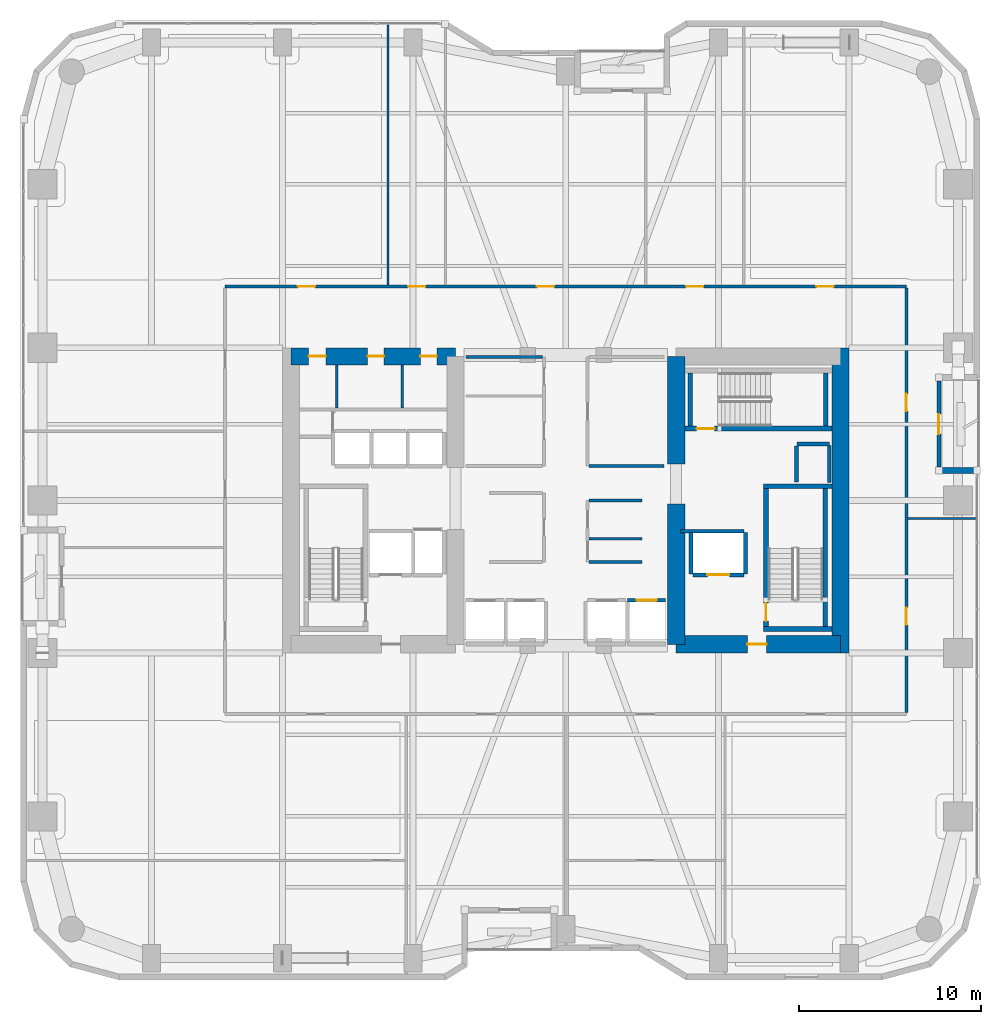
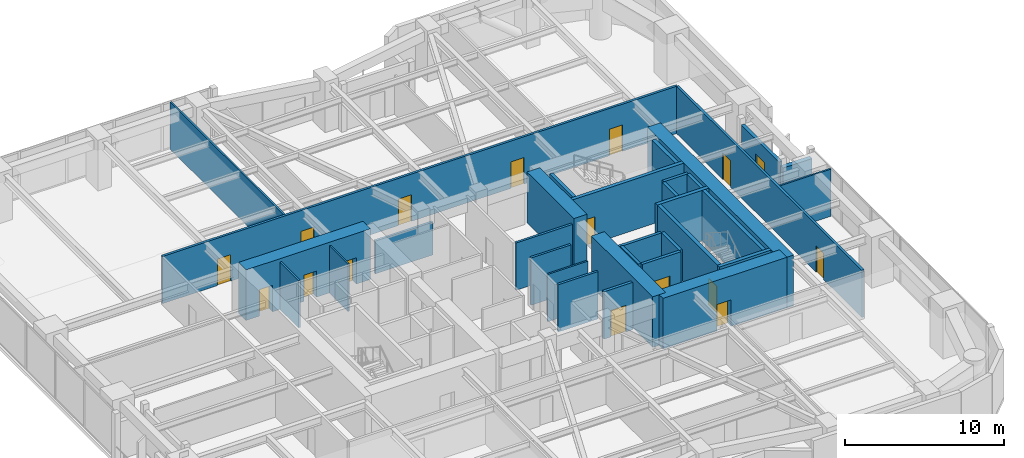
# One storey, part 20 of 24: 33 walls, 16 doors, 16 openings.
"""IFC4 building model written with IfcOpenShell, lengths in metres."""

from ifc_helpers import new_model, si_unit, direction, frame, frame_2d, origin, place, context, subcontext, project, spatial, rectangle, extrude, material, layer, layer_set, type_object, element, fill, save


model = new_model("IFC4")

# Units and contexts
model_context = context("Model", 3, precision=1e-05, world=origin(), true_north=direction((0.0, 1.0)))
body_context = subcontext(model_context, "Body", "Model", "MODEL_VIEW")
ifc_project = project(units=[si_unit("LENGTHUNIT", "METRE"), si_unit("AREAUNIT", "SQUARE_METRE"), si_unit("VOLUMEUNIT", "CUBIC_METRE"), si_unit("PLANEANGLEUNIT", "RADIAN"), si_unit("MASSUNIT", "GRAM", prefix="KILO")], contexts=[model_context])

# Site, building, storey
site_placement = place(None, origin())
site = spatial("IfcSite", under=ifc_project, at=site_placement, CompositionType="ELEMENT")
building_placement = place(site_placement, origin())
building = spatial("IfcBuilding", under=site, at=building_placement, Name="Kiyonajd Concourse Tower", CompositionType="ELEMENT")
storey_placement = place(building_placement, frame((0.0, 0.0, 85.800048828125)))
storey = spatial("IfcBuildingStorey", under=building, at=storey_placement, Name="L22", CompositionType="ELEMENT", Elevation=85.800048828125)

# Wall, openings, doors
ifc_material_1 = material(Name="Concrete C80/95", Category="concrete")
ifc_layer_1 = layer(ifc_material_1, 0.949951171875)
ifc_layer_set_1 = layer_set([ifc_layer_1], Name="Concrete C80/95")
wall_type_1 = type_object("IfcWallType", Name="WL-CORE-950", PredefinedType="SHEAR", material=ifc_layer_set_1)
wall_1_placement = place(storey_placement, frame((32.875, 43.925048828125, 0.0), z_axis=(0.0, 0.0, 1.0), x_axis=(1.0, 0.0, 0.0)))
wall_1 = element("IfcWall", 1, at=wall_1_placement, inside=storey, type_object=wall_type_1, Name="L22 West Core North Shear Wall", PredefinedType="SHEAR", context=body_context, shape_type="SweptSolid", body=[
    extrude(rectangle(XDim=9.050048828125, YDim=0.949951171875, at=frame_2d((4.52490234375, 0.0))), origin(), (0.0, 0.0, 1.0), 3.89990234375),
])
opening_1_placement = place(wall_1_placement, frame((0.97509765625, 0.0, 0.0)))
opening_1 = element("IfcOpeningElement", 2, at=opening_1_placement, cuts=wall_1, Name="Opening DI1", PredefinedType="OPENING", context=body_context, shape_type="SweptSolid", body=[
    extrude(rectangle(XDim=0.949951171875, YDim=2.0400390625, at=frame_2d((0.47509765625, 1.02001953125))), frame((0.0, 0.48486328125, 0.0), z_axis=(0.0, -1.0, 0.0), x_axis=(1.0, 0.0, 0.0)), (0.0, 0.0, 1.0), 0.969970703125),
])
opening_2_placement = place(wall_1_placement, frame((4.22509765625, 0.0, 0.0)))
opening_2 = element("IfcOpeningElement", 3, at=opening_2_placement, cuts=wall_1, Name="Opening DI2", PredefinedType="OPENING", context=body_context, shape_type="SweptSolid", body=[
    extrude(rectangle(XDim=0.89990234375, YDim=2.02001953125, at=frame_2d((0.449951171875, 1.010009765625))), frame((0.0, 0.48486328125, 0.0), z_axis=(0.0, -1.0, 0.0), x_axis=(1.0, 0.0, 0.0)), (0.0, 0.0, 1.0), 0.969970703125),
])
opening_3_placement = place(wall_1_placement, frame((7.125, 0.0, 0.0)))
opening_3 = element("IfcOpeningElement", 4, at=opening_3_placement, cuts=wall_1, Name="Opening DI2", PredefinedType="OPENING", context=body_context, shape_type="SweptSolid", body=[
    extrude(rectangle(XDim=0.89990234375, YDim=2.02001953125, at=frame_2d((0.449951171875, 1.010009765625))), frame((0.0, 0.48486328125, 0.0), z_axis=(0.0, -1.0, 0.0), x_axis=(1.0, 0.0, 0.0)), (0.0, 0.0, 1.0), 0.969970703125),
])
ifc_material_2 = material(Name="Natural Oak Acoustic Timber Veneer", Category="wood")
door_type_1 = type_object("IfcDoorType", Name="DR-INT-900", OperationType="NOTDEFINED", PredefinedType="DOOR", material=ifc_material_2)
door_1_placement = place(opening_2_placement, origin())
door_1 = element("IfcDoor", 5, at=door_1_placement, inside=storey, type_object=door_type_1, Name="L22 Male Restroom Door", OperationType="SINGLE_SWING_RIGHT", OverallHeight=2.02001953125, OverallWidth=0.89990234375, PredefinedType="DOOR", context=body_context, shape_type="SweptSolid", body=[
    extrude(rectangle(XDim=0.89990234375, YDim=2.02001953125, at=frame_2d((0.449951171875, 1.010009765625))), frame((0.0, 0.02490234375, 0.0), z_axis=(0.0, -1.0, 0.0), x_axis=(1.0, 0.0, 0.0)), (0.0, 0.0, 1.0), 0.050048828125),
])
fill(opening_2, door_1)
door_2_placement = place(opening_3_placement, origin())
door_2 = element("IfcDoor", 6, at=door_2_placement, inside=storey, type_object=door_type_1, Name="L22 Female Restroom Door", OperationType="SINGLE_SWING_LEFT", OverallHeight=2.02001953125, OverallWidth=0.89990234375, PredefinedType="DOOR", context=body_context, shape_type="SweptSolid", body=[
    extrude(rectangle(XDim=0.89990234375, YDim=2.02001953125, at=frame_2d((0.449951171875, 1.010009765625))), frame((0.0, 0.02490234375, 0.0), z_axis=(0.0, -1.0, 0.0), x_axis=(1.0, 0.0, 0.0)), (0.0, 0.0, 1.0), 0.050048828125),
])
fill(opening_3, door_2)
door_type_2 = type_object("IfcDoorType", Name="DR-INT-950", OperationType="NOTDEFINED", PredefinedType="DOOR", material=ifc_material_2)
door_3_placement = place(opening_1_placement, origin())
door_3 = element("IfcDoor", 7, at=door_3_placement, inside=storey, type_object=door_type_2, Name="L22 Single User Accessible WC Door", OperationType="SINGLE_SWING_LEFT", OverallHeight=2.0400390625, OverallWidth=0.949951171875, PredefinedType="DOOR", context=body_context, shape_type="SweptSolid", body=[
    extrude(rectangle(XDim=0.949951171875, YDim=2.0400390625, at=frame_2d((0.47509765625, 1.02001953125))), frame((0.0, 0.02490234375, 0.0), z_axis=(0.0, -1.0, 0.0), x_axis=(1.0, 0.0, 0.0)), (0.0, 0.0, 1.0), 0.050048828125),
])
fill(opening_1, door_3)

# Walls
wall_2_placement = place(storey_placement, frame((54.074951171875, 28.074951171875, 0.0), z_axis=(0.0, 0.0, 1.0), x_axis=(0.0, 1.0, 0.0)))
element("IfcWall", 8, at=wall_2_placement, inside=storey, type_object=wall_type_1, Name="L22 East Core Inner South Shear Wall", PredefinedType="SHEAR", context=body_context, shape_type="SweptSolid", body=[
    extrude(rectangle(XDim=7.72509765625, YDim=0.949951171875, at=frame_2d((3.862548828125, 0.0))), origin(), (0.0, 0.0, 1.0), 3.89990234375),
])
wall_3_placement = place(storey_placement, frame((54.074951171875, 38.0, 0.0), z_axis=(0.0, 0.0, 1.0), x_axis=(0.0, 1.0, 0.0)))
element("IfcWall", 9, at=wall_3_placement, inside=storey, type_object=wall_type_1, Name="L22 East Core Inner North Shear Wall", PredefinedType="SHEAR", context=body_context, shape_type="SweptSolid", body=[
    extrude(rectangle(XDim=5.925048828125, YDim=0.949951171875, at=frame_2d((2.96240234375, 0.0))), origin(), (0.0, 0.0, 1.0), 3.89990234375),
])
wall_4_placement = place(storey_placement, frame((63.125, 27.60009765625, 0.0), z_axis=(0.0, 0.0, 1.0), x_axis=(0.0, 1.0, 0.0)))
element("IfcWall", 10, at=wall_4_placement, inside=storey, type_object=wall_type_1, Name="L22 East Core Outer Shear Wall", PredefinedType="SHEAR", context=body_context, shape_type="SweptSolid", body=[
    extrude(rectangle(XDim=16.7998046875, YDim=0.949951171875, at=frame_2d((8.39990234375, 0.0))), origin(), (0.0, 0.0, 1.0), 3.89990234375),
])

# Wall, opening, door
wall_5_placement = place(storey_placement, frame((54.074951171875, 28.074951171875, 0.0), z_axis=(0.0, 0.0, 1.0), x_axis=(1.0, 0.0, 0.0)))
wall_5 = element("IfcWall", 11, at=wall_5_placement, inside=storey, type_object=wall_type_1, Name="L22 East Core South Shear Wall", PredefinedType="SHEAR", context=body_context, shape_type="SweptSolid", body=[
    extrude(rectangle(XDim=9.050048828125, YDim=0.949951171875, at=frame_2d((4.52490234375, 0.0))), origin(), (0.0, 0.0, 1.0), 3.89990234375),
])
opening_4_placement = place(wall_5_placement, frame((3.925048828125, 0.0, 0.0)))
opening_4 = element("IfcOpeningElement", 12, at=opening_4_placement, cuts=wall_5, Name="Opening DF5", PredefinedType="OPENING", context=body_context, shape_type="SweptSolid", body=[
    extrude(rectangle(XDim=1.050048828125, YDim=2.0400390625, at=frame_2d((0.52490234375, 1.02001953125))), frame((0.0, 0.48486328125, 0.0), z_axis=(0.0, -1.0, 0.0), x_axis=(1.0, 0.0, 0.0)), (0.0, 0.0, 1.0), 0.969970703125),
])
ifc_material_3 = material(Name="Brushed Stainless Steel Cab Assembly", Category="steel")
door_type_3 = type_object("IfcDoorType", Name="DR-FD45-1050", OperationType="NOTDEFINED", PredefinedType="DOOR", material=ifc_material_3)
door_4_placement = place(opening_4_placement, origin())
door_4 = element("IfcDoor", 13, at=door_4_placement, inside=storey, type_object=door_type_3, Name="L22 Firefighting Lift Lobby E Smoke Door", OperationType="SINGLE_SWING_RIGHT", OverallHeight=2.0400390625, OverallWidth=1.050048828125, PredefinedType="DOOR", context=body_context, shape_type="SweptSolid", body=[
    extrude(rectangle(XDim=1.050048828125, YDim=2.0400390625, at=frame_2d((0.52490234375, 1.02001953125))), frame((0.0, 0.02490234375, 0.0), z_axis=(0.0, -1.0, 0.0), x_axis=(1.0, 0.0, 0.0)), (0.0, 0.0, 1.0), 0.050048828125),
])
fill(opening_4, door_4)

# Wall
ifc_material_4 = material(Name="Precast concrete C50/60", Category="concrete")
ifc_layer_2 = layer(ifc_material_4, 0.320068359375)
ifc_layer_set_2 = layer_set([ifc_layer_2], Name="Precast concrete C50/60")
wall_type_2 = type_object("IfcWallType", Name="WL-EXT-320", PredefinedType="SOLIDWALL", material=ifc_layer_set_2)
wall_6_placement = place(storey_placement, frame((68.5400390625, 37.639892578125, 0.0), z_axis=(0.0, 0.0, 1.0), x_axis=(1.0, 0.0, 0.0)))
element("IfcWall", 14, at=wall_6_placement, inside=storey, type_object=wall_type_2, Name="L22 Exterior Concrete Frame Wall 23", PredefinedType="SOLIDWALL", context=body_context, shape_type="SweptSolid", body=[
    extrude(rectangle(XDim=2.099853515625, YDim=0.320068359375, at=frame_2d((1.0498046875, 0.0))), origin(), (0.0, 0.0, 1.0), 2.875),
])

# Wall, opening, door
ifc_layer_3 = layer(ifc_material_4, 0.239990234375)
ifc_layer_set_3 = layer_set([ifc_layer_3], Name="Precast concrete C50/60")
wall_type_3 = type_object("IfcWallType", Name="WL-LOG-240", PredefinedType="SOLIDWALL", material=ifc_layer_set_3)
wall_7_placement = place(storey_placement, frame((68.5400390625, 42.56494140625, 0.0), z_axis=(0.0, 0.0, 1.0), x_axis=(0.0, -1.0, 0.0)))
wall_7 = element("IfcWall", 15, at=wall_7_placement, inside=storey, type_object=wall_type_3, Name="L22 Recessed Loggia Thermal Wall LOG-E", PredefinedType="SOLIDWALL", context=body_context, shape_type="SweptSolid", body=[
    extrude(rectangle(XDim=4.72998046875, YDim=0.239990234375, at=frame_2d((2.364990234375, 0.0))), origin(), (0.0, 0.0, 1.0), 3.161865234375),
])
opening_5_placement = place(wall_7_placement, frame((1.81494140625, 0.0, 0.0)))
opening_5 = element("IfcOpeningElement", 16, at=opening_5_placement, cuts=wall_7, Name="Opening DL2", PredefinedType="OPENING", context=body_context, shape_type="SweptSolid", body=[
    extrude(rectangle(XDim=1.10009765625, YDim=2.0400390625, at=frame_2d((0.550048828125, 1.02001953125))), frame((0.0, 0.1298828125, 0.0), z_axis=(0.0, -1.0, 0.0), x_axis=(1.0, 0.0, 0.0)), (0.0, 0.0, 1.0), 0.260009765625),
])
ifc_material_5 = material(Name="Thermally Broken Anodised Aluminium", Category="aluminium")
door_type_4 = type_object("IfcDoorType", Name="DR-LOG-1100", OperationType="NOTDEFINED", PredefinedType="DOOR", material=ifc_material_5)
door_5_placement = place(opening_5_placement, origin())
door_5 = element("IfcDoor", 17, at=door_5_placement, inside=storey, type_object=door_type_4, Name="L22 Engawa Loggia Access Door LOG-E", OperationType="SINGLE_SWING_LEFT", OverallHeight=2.0400390625, OverallWidth=1.10009765625, PredefinedType="DOOR", context=body_context, shape_type="SweptSolid", body=[
    extrude(rectangle(XDim=1.10009765625, YDim=2.0400390625, at=frame_2d((0.550048828125, 1.02001953125))), frame((0.0, 0.02490234375, 0.0), z_axis=(0.0, -1.0, 0.0), x_axis=(1.0, 0.0, 0.0)), (0.0, 0.0, 1.0), 0.050048828125),
])
fill(opening_5, door_5)

# Walls
ifc_material_6 = material(Name="Gypsum Board on Cold-Formed Steel Stud", Category="steel")
ifc_layer_4 = layer(ifc_material_6, 0.125)
ifc_layer_set_4 = layer_set([ifc_layer_4], Name="Gypsum Board on Cold-Formed Steel Stud")
wall_type_4 = type_object("IfcWallType", Name="WL-PART-125", PredefinedType="PARTITIONING", material=ifc_layer_set_4)
for number, where, z_axis, x_axis, name in (
    (18, (35.39990234375, 41.094970703125, 0.0), (0.0, 0.0, 1.0), (0.0, 1.0, 0.0), "L22 Interior Partition Wall"),
    (19, (39.0, 41.094970703125, 0.0), (0.0, 0.0, 1.0), (0.0, 1.0, 0.0), "L22 Interior Partition Wall"),
):
    element("IfcWall", number, at=place(storey_placement, frame(where, z_axis=z_axis, x_axis=x_axis)), inside=storey, type_object=wall_type_4, Name=name, PredefinedType="PARTITIONING", context=body_context, shape_type="SweptSolid", body=[
        extrude(rectangle(XDim=2.35498046875, YDim=0.125, at=frame_2d((1.177490234375, 0.0))), origin(), (0.0, 0.0, 1.0), 3.639892578125),
    ])
wall_8_placement = place(storey_placement, frame((49.287109375, 33.89208984375, 0.0), z_axis=(0.0, 0.0, 1.0), x_axis=(1.0, 0.0, 0.0)))
element("IfcWall", 20, at=wall_8_placement, inside=storey, type_object=wall_type_4, Name="L22 Interior Partition Wall", PredefinedType="PARTITIONING", context=body_context, shape_type="SweptSolid", body=[
    extrude(rectangle(XDim=2.912841796875, YDim=0.125, at=frame_2d((1.45654296875, 0.0))), origin(), (0.0, 0.0, 1.0), 3.639892578125),
])
wall_9_placement = place(storey_placement, frame((38.2099609375, 47.85693359375, 0.0), z_axis=(0.0, 0.0, 1.0), x_axis=(0.0, 1.0, 0.0)))
element("IfcWall", 21, at=wall_9_placement, inside=storey, type_object=wall_type_4, Name="L22 Interior Partition Wall", PredefinedType="PARTITIONING", context=body_context, shape_type="SweptSolid", body=[
    extrude(rectangle(XDim=14.298095703125, YDim=0.125, at=frame_2d((7.14892578125, 0.0))), origin(), (0.0, 0.0, 1.0), 3.639892578125),
])
wall_10_placement = place(storey_placement, frame((66.8369140625, 35.0, 0.0), z_axis=(0.0, 0.0, 1.0), x_axis=(1.0, 0.0, 0.0)))
element("IfcWall", 22, at=wall_10_placement, inside=storey, type_object=wall_type_4, Name="L22 Interior Partition Wall", PredefinedType="PARTITIONING", context=body_context, shape_type="SweptSolid", body=[
    extrude(rectangle(XDim=3.718017578125, YDim=0.125, at=frame_2d((1.85888671875, 0.0))), origin(), (0.0, 0.0, 1.0), 3.639892578125),
])
ifc_layer_5 = layer(ifc_material_6, 0.2099609375)
ifc_layer_set_5 = layer_set([ifc_layer_5], Name="Gypsum Board on Cold-Formed Steel Stud")
wall_type_5 = type_object("IfcWallType", Name="WL-SHAFT-210", PredefinedType="PARTITIONING", material=ifc_layer_set_5)
wall_11_placement = place(storey_placement, frame((60.719970703125, 39.10009765625, 0.0), z_axis=(0.0, 0.0, 1.0), x_axis=(1.0, 0.0, 0.0)))
element("IfcWall", 23, at=wall_11_placement, inside=storey, type_object=wall_type_5, Name="L22 Shaft Enclosure Wall", PredefinedType="PARTITIONING", context=body_context, shape_type="SweptSolid", body=[
    extrude(rectangle(XDim=1.800048828125, YDim=0.2099609375, at=frame_2d((0.89990234375, 0.0))), origin(), (0.0, 0.0, 1.0), 3.639892578125),
])
wall_12_placement = place(storey_placement, frame((60.699951171875, 37.02001953125, 0.0), z_axis=(0.0, 0.0, 1.0), x_axis=(0.0, 1.0, 0.0)))
element("IfcWall", 24, at=wall_12_placement, inside=storey, type_object=wall_type_5, Name="L22 Shaft Enclosure Wall", PredefinedType="PARTITIONING", context=body_context, shape_type="SweptSolid", body=[
    extrude(rectangle(XDim=1.9599609375, YDim=0.2099609375, at=frame_2d((0.97998046875, 0.0))), origin(), (0.0, 0.0, 1.0), 3.639892578125),
])
wall_13_placement = place(storey_placement, frame((62.5, 36.97998046875, 0.0), z_axis=(0.0, 0.0, 1.0), x_axis=(0.0, 1.0, 0.0)))
element("IfcWall", 25, at=wall_13_placement, inside=storey, type_object=wall_type_5, Name="L22 Shaft Enclosure Wall", PredefinedType="PARTITIONING", context=body_context, shape_type="SweptSolid", body=[
    extrude(rectangle(XDim=2.0400390625, YDim=0.2099609375, at=frame_2d((1.02001953125, 0.0))), origin(), (0.0, 0.0, 1.0), 3.639892578125),
])

# Wall, opening, door
wall_14_placement = place(storey_placement, frame((55.0, 31.89990234375, 0.0), z_axis=(0.0, 0.0, 1.0), x_axis=(1.0, 0.0, 0.0)))
wall_14 = element("IfcWall", 26, at=wall_14_placement, inside=storey, type_object=wall_type_5, Name="L22 Shaft Enclosure Wall", PredefinedType="PARTITIONING", context=body_context, shape_type="SweptSolid", body=[
    extrude(rectangle(XDim=2.800048828125, YDim=0.2099609375, at=frame_2d((1.39990234375, 0.0))), origin(), (0.0, 0.0, 1.0), 3.639892578125),
])
opening_6_placement = place(wall_14_placement, frame((0.800048828125, 0.0, 0.0)))
opening_6 = element("IfcOpeningElement", 27, at=opening_6_placement, cuts=wall_14, Name="Opening LD2", PredefinedType="OPENING", context=body_context, shape_type="SweptSolid", body=[
    extrude(rectangle(XDim=1.199951171875, YDim=2.0400390625, at=frame_2d((0.60009765625, 1.02001953125))), frame((0.0, 0.114990234375, 0.0), z_axis=(0.0, -1.0, 0.0), x_axis=(1.0, 0.0, 0.0)), (0.0, 0.0, 1.0), 0.22998046875),
])
door_type_5 = type_object("IfcDoorType", Name="DR-LD-1200", OperationType="DOUBLE_DOOR_SLIDING", PredefinedType="DOOR", material=ifc_material_3)
door_6_placement = place(opening_6_placement, origin())
door_6 = element("IfcDoor", 28, at=door_6_placement, inside=storey, type_object=door_type_5, Name="L22 Lift FFL2 Sliding Landing Door", OperationType="DOUBLE_DOOR_SLIDING", OverallHeight=2.0400390625, OverallWidth=1.199951171875, PredefinedType="DOOR", context=body_context, shape_type="SweptSolid", body=[
    extrude(rectangle(XDim=1.199951171875, YDim=2.0400390625, at=frame_2d((0.60009765625, 1.02001953125))), frame((0.0, 0.02490234375, 0.0), z_axis=(0.0, -1.0, 0.0), x_axis=(1.0, 0.0, 0.0)), (0.0, 0.0, 1.0), 0.050048828125),
])
fill(opening_6, door_6)

# Walls
wall_15_placement = place(storey_placement, frame((54.320068359375, 34.300048828125, 0.0), z_axis=(0.0, 0.0, 1.0), x_axis=(1.0, 0.0, 0.0)))
element("IfcWall", 29, at=wall_15_placement, inside=storey, type_object=wall_type_5, Name="L22 Shaft Enclosure Wall", PredefinedType="PARTITIONING", context=body_context, shape_type="SweptSolid", body=[
    extrude(rectangle(XDim=3.47998046875, YDim=0.2099609375, at=frame_2d((1.739990234375, 0.0))), origin(), (0.0, 0.0, 1.0), 3.639892578125),
])
for number, where, z_axis, x_axis, name in (
    (30, (54.89990234375, 31.9599609375, 0.0), (0.0, 0.0, 1.0), (0.0, 1.0, 0.0), "L22 Shaft Enclosure Wall"),
    (31, (57.89990234375, 31.9599609375, 0.0), (0.0, 0.0, 1.0), (0.0, 1.0, 0.0), "L22 Shaft Enclosure Wall"),
):
    element("IfcWall", number, at=place(storey_placement, frame(where, z_axis=z_axis, x_axis=x_axis)), inside=storey, type_object=wall_type_5, Name=name, PredefinedType="PARTITIONING", context=body_context, shape_type="SweptSolid", body=[
        extrude(rectangle(XDim=2.280029296875, YDim=0.2099609375, at=frame_2d((1.14013671875, 0.0))), origin(), (0.0, 0.0, 1.0), 3.639892578125),
    ])

# Wall, opening, door
wall_16_placement = place(storey_placement, frame((51.39990234375, 30.5, 0.0), z_axis=(0.0, 0.0, 1.0), x_axis=(1.0, 0.0, 0.0)))
wall_16 = element("IfcWall", 32, at=wall_16_placement, inside=storey, type_object=wall_type_5, Name="L22 Shaft Enclosure Wall", PredefinedType="PARTITIONING", context=body_context, shape_type="SweptSolid", body=[
    extrude(rectangle(XDim=2.10009765625, YDim=0.2099609375, at=frame_2d((1.050048828125, 0.0))), origin(), (0.0, 0.0, 1.0), 3.639892578125),
])
opening_7_placement = place(wall_16_placement, frame((0.5, 0.0, 0.0)))
opening_7 = element("IfcOpeningElement", 33, at=opening_7_placement, cuts=wall_16, Name="Opening LD1", PredefinedType="OPENING", context=body_context, shape_type="SweptSolid", body=[
    extrude(rectangle(XDim=1.10009765625, YDim=2.0400390625, at=frame_2d((0.550048828125, 1.02001953125))), frame((0.0, 0.114990234375, 0.0), z_axis=(0.0, -1.0, 0.0), x_axis=(1.0, 0.0, 0.0)), (0.0, 0.0, 1.0), 0.22998046875),
])
door_type_6 = type_object("IfcDoorType", Name="DR-LD-1100", OperationType="DOUBLE_DOOR_SLIDING", PredefinedType="DOOR", material=ifc_material_3)
door_7_placement = place(opening_7_placement, origin())
door_7 = element("IfcDoor", 34, at=door_7_placement, inside=storey, type_object=door_type_6, Name="L22 Lift PL-L4 Sliding Landing Door", OperationType="DOUBLE_DOOR_SLIDING", OverallHeight=2.0400390625, OverallWidth=1.10009765625, PredefinedType="DOOR", context=body_context, shape_type="SweptSolid", body=[
    extrude(rectangle(XDim=1.10009765625, YDim=2.0400390625, at=frame_2d((0.550048828125, 1.02001953125))), frame((0.0, 0.02490234375, 0.0), z_axis=(0.0, -1.0, 0.0), x_axis=(1.0, 0.0, 0.0)), (0.0, 0.0, 1.0), 0.050048828125),
])
fill(opening_7, door_7)

# Walls
ifc_layer_6 = layer(ifc_material_6, 0.169921875)
ifc_layer_set_6 = layer_set([ifc_layer_6], Name="Gypsum Board on Cold-Formed Steel Stud")
wall_type_6 = type_object("IfcWallType", Name="WL-SMK-170", PredefinedType="PARTITIONING", material=ifc_layer_set_6)
for number, where, z_axis, x_axis, name in (
    (35, (49.287109375, 32.60009765625, 0.0), (0.0, 0.0, 1.0), (1.0, 0.0, 0.0), "L22 Interior Partition Wall"),
    (36, (49.287109375, 36.0, 0.0), (0.0, 0.0, 1.0), (1.0, 0.0, 0.0), "L22 Interior Partition Wall"),
):
    element("IfcWall", number, at=place(storey_placement, frame(where, z_axis=z_axis, x_axis=x_axis)), inside=storey, type_object=wall_type_6, Name=name, PredefinedType="PARTITIONING", context=body_context, shape_type="SweptSolid", body=[
        extrude(rectangle(XDim=2.912841796875, YDim=0.169921875, at=frame_2d((1.45654296875, 0.0))), origin(), (0.0, 0.0, 1.0), 3.639892578125),
    ])
wall_17_placement = place(storey_placement, frame((42.5, 43.89990234375, 0.0), z_axis=(0.0, 0.0, 1.0), x_axis=(1.0, 0.0, 0.0)))
element("IfcWall", 37, at=wall_17_placement, inside=storey, type_object=wall_type_6, Name="L22 Interior Partition Wall", PredefinedType="PARTITIONING", context=body_context, shape_type="SweptSolid", body=[
    extrude(rectangle(XDim=4.212890625, YDim=0.169921875, at=frame_2d((2.1064453125, 0.0))), origin(), (0.0, 0.0, 1.0), 2.52490234375),
])
wall_18_placement = place(storey_placement, frame((49.287109375, 37.89990234375, 0.0), z_axis=(0.0, 0.0, 1.0), x_axis=(1.0, 0.0, 0.0)))
element("IfcWall", 38, at=wall_18_placement, inside=storey, type_object=wall_type_6, Name="L22 Interior Partition Wall", PredefinedType="PARTITIONING", context=body_context, shape_type="SweptSolid", body=[
    extrude(rectangle(XDim=4.11279296875, YDim=0.169921875, at=frame_2d((2.056396484375, 0.0))), origin(), (0.0, 0.0, 1.0), 3.639892578125),
])

# Wall, openings, doors
wall_19_placement = place(storey_placement, frame((29.25, 47.77001953125, 0.0), z_axis=(0.0, 0.0, 1.0), x_axis=(1.0, 0.0, 0.0)))
wall_19 = element("IfcWall", 39, at=wall_19_placement, inside=storey, type_object=wall_type_6, Name="L22 Interior Partition Wall", PredefinedType="PARTITIONING", context=body_context, shape_type="SweptSolid", body=[
    extrude(rectangle(XDim=37.5, YDim=0.169921875, at=frame_2d((18.75, 0.0))), origin(), (0.0, 0.0, 1.0), 3.639892578125),
])
opening_8_placement = place(wall_19_placement, frame((4.0048828125, 0.0, 0.0)))
opening_8 = element("IfcOpeningElement", 40, at=opening_8_placement, cuts=wall_19, Name="Opening DI1", PredefinedType="OPENING", context=body_context, shape_type="SweptSolid", body=[
    extrude(rectangle(XDim=0.949951171875, YDim=2.0400390625, at=frame_2d((0.47509765625, 1.02001953125))), frame((0.0, 0.094970703125, 0.0), z_axis=(0.0, -1.0, 0.0), x_axis=(1.0, 0.0, 0.0)), (0.0, 0.0, 1.0), 0.18994140625),
])
opening_9_placement = place(wall_19_placement, frame((10.070068359375, 0.0, 0.0)))
opening_9 = element("IfcOpeningElement", 41, at=opening_9_placement, cuts=wall_19, Name="Opening DI1", PredefinedType="OPENING", context=body_context, shape_type="SweptSolid", body=[
    extrude(rectangle(XDim=0.949951171875, YDim=2.0400390625, at=frame_2d((0.47509765625, 1.02001953125))), frame((0.0, 0.094970703125, 0.0), z_axis=(0.0, -1.0, 0.0), x_axis=(1.0, 0.0, 0.0)), (0.0, 0.0, 1.0), 0.18994140625),
])
opening_10_placement = place(wall_19_placement, frame((17.1650390625, 0.0, 0.0)))
opening_10 = element("IfcOpeningElement", 42, at=opening_10_placement, cuts=wall_19, Name="Opening DI1", PredefinedType="OPENING", context=body_context, shape_type="SweptSolid", body=[
    extrude(rectangle(XDim=0.949951171875, YDim=2.0400390625, at=frame_2d((0.47509765625, 1.02001953125))), frame((0.0, 0.094970703125, 0.0), z_axis=(0.0, -1.0, 0.0), x_axis=(1.0, 0.0, 0.0)), (0.0, 0.0, 1.0), 0.18994140625),
])
opening_11_placement = place(wall_19_placement, frame((25.3701171875, 0.0, 0.0)))
opening_11 = element("IfcOpeningElement", 43, at=opening_11_placement, cuts=wall_19, Name="Opening DI1", PredefinedType="OPENING", context=body_context, shape_type="SweptSolid", body=[
    extrude(rectangle(XDim=0.949951171875, YDim=2.0400390625, at=frame_2d((0.47509765625, 1.02001953125))), frame((0.0, 0.094970703125, 0.0), z_axis=(0.0, -1.0, 0.0), x_axis=(1.0, 0.0, 0.0)), (0.0, 0.0, 1.0), 0.18994140625),
])
opening_12_placement = place(wall_19_placement, frame((32.544921875, 0.0, 0.0)))
opening_12 = element("IfcOpeningElement", 44, at=opening_12_placement, cuts=wall_19, Name="Opening DI1", PredefinedType="OPENING", context=body_context, shape_type="SweptSolid", body=[
    extrude(rectangle(XDim=0.949951171875, YDim=2.0400390625, at=frame_2d((0.47509765625, 1.02001953125))), frame((0.0, 0.094970703125, 0.0), z_axis=(0.0, -1.0, 0.0), x_axis=(1.0, 0.0, 0.0)), (0.0, 0.0, 1.0), 0.18994140625),
])
door_8_placement = place(opening_8_placement, origin())
door_8 = element("IfcDoor", 45, at=door_8_placement, inside=storey, type_object=door_type_2, Name="L22 Interior Door", OperationType="SINGLE_SWING_RIGHT", OverallHeight=2.0400390625, OverallWidth=0.949951171875, PredefinedType="DOOR", context=body_context, shape_type="SweptSolid", body=[
    extrude(rectangle(XDim=0.949951171875, YDim=2.0400390625, at=frame_2d((0.47509765625, 1.02001953125))), frame((0.0, 0.02490234375, 0.0), z_axis=(0.0, -1.0, 0.0), x_axis=(1.0, 0.0, 0.0)), (0.0, 0.0, 1.0), 0.050048828125),
])
fill(opening_8, door_8)
door_9_placement = place(opening_9_placement, origin())
door_9 = element("IfcDoor", 46, at=door_9_placement, inside=storey, type_object=door_type_2, Name="L22 Interior Door", OperationType="SINGLE_SWING_LEFT", OverallHeight=2.0400390625, OverallWidth=0.949951171875, PredefinedType="DOOR", context=body_context, shape_type="SweptSolid", body=[
    extrude(rectangle(XDim=0.949951171875, YDim=2.0400390625, at=frame_2d((0.47509765625, 1.02001953125))), frame((0.0, 0.02490234375, 0.0), z_axis=(0.0, -1.0, 0.0), x_axis=(1.0, 0.0, 0.0)), (0.0, 0.0, 1.0), 0.050048828125),
])
fill(opening_9, door_9)
door_10_placement = place(opening_10_placement, origin())
door_10 = element("IfcDoor", 47, at=door_10_placement, inside=storey, type_object=door_type_2, Name="L22 Interior Door", OperationType="SINGLE_SWING_RIGHT", OverallHeight=2.0400390625, OverallWidth=0.949951171875, PredefinedType="DOOR", context=body_context, shape_type="SweptSolid", body=[
    extrude(rectangle(XDim=0.949951171875, YDim=2.0400390625, at=frame_2d((0.47509765625, 1.02001953125))), frame((0.0, 0.02490234375, 0.0), z_axis=(0.0, -1.0, 0.0), x_axis=(1.0, 0.0, 0.0)), (0.0, 0.0, 1.0), 0.050048828125),
])
fill(opening_10, door_10)
door_11_placement = place(opening_11_placement, origin())
door_11 = element("IfcDoor", 48, at=door_11_placement, inside=storey, type_object=door_type_2, Name="L22 Interior Door", OperationType="SINGLE_SWING_LEFT", OverallHeight=2.0400390625, OverallWidth=0.949951171875, PredefinedType="DOOR", context=body_context, shape_type="SweptSolid", body=[
    extrude(rectangle(XDim=0.949951171875, YDim=2.0400390625, at=frame_2d((0.47509765625, 1.02001953125))), frame((0.0, 0.02490234375, 0.0), z_axis=(0.0, -1.0, 0.0), x_axis=(1.0, 0.0, 0.0)), (0.0, 0.0, 1.0), 0.050048828125),
])
fill(opening_11, door_11)
door_12_placement = place(opening_12_placement, origin())
door_12 = element("IfcDoor", 49, at=door_12_placement, inside=storey, type_object=door_type_2, Name="L22 Interior Door", OperationType="SINGLE_SWING_RIGHT", OverallHeight=2.0400390625, OverallWidth=0.949951171875, PredefinedType="DOOR", context=body_context, shape_type="SweptSolid", body=[
    extrude(rectangle(XDim=0.949951171875, YDim=2.0400390625, at=frame_2d((0.47509765625, 1.02001953125))), frame((0.0, 0.02490234375, 0.0), z_axis=(0.0, -1.0, 0.0), x_axis=(1.0, 0.0, 0.0)), (0.0, 0.0, 1.0), 0.050048828125),
])
fill(opening_12, door_12)

wall_20_placement = place(storey_placement, frame((66.75, 24.31689453125, 0.0), z_axis=(0.0, 0.0, 1.0), x_axis=(0.0, 1.0, 0.0)))
wall_20 = element("IfcWall", 50, at=wall_20_placement, inside=storey, type_object=wall_type_6, Name="L22 Interior Partition Wall", PredefinedType="PARTITIONING", context=body_context, shape_type="SweptSolid", body=[
    extrude(rectangle(XDim=23.3662109375, YDim=0.169921875, at=frame_2d((11.68310546875, 0.0))), origin(), (0.0, 0.0, 1.0), 3.639892578125),
])
opening_13_placement = place(wall_20_placement, frame((4.822998046875, 0.0, 0.0)))
opening_13 = element("IfcOpeningElement", 51, at=opening_13_placement, cuts=wall_20, Name="Opening DI1", PredefinedType="OPENING", context=body_context, shape_type="SweptSolid", body=[
    extrude(rectangle(XDim=0.949951171875, YDim=2.0400390625, at=frame_2d((0.47509765625, 1.02001953125))), frame((0.0, 0.094970703125, 0.0), z_axis=(0.0, -1.0, 0.0), x_axis=(1.0, 0.0, 0.0)), (0.0, 0.0, 1.0), 0.18994140625),
])
opening_14_placement = place(wall_20_placement, frame((16.593017578125, 0.0, 0.0)))
opening_14 = element("IfcOpeningElement", 52, at=opening_14_placement, cuts=wall_20, Name="Opening DI1", PredefinedType="OPENING", context=body_context, shape_type="SweptSolid", body=[
    extrude(rectangle(XDim=0.949951171875, YDim=2.0400390625, at=frame_2d((0.47509765625, 1.02001953125))), frame((0.0, 0.094970703125, 0.0), z_axis=(0.0, -1.0, 0.0), x_axis=(1.0, 0.0, 0.0)), (0.0, 0.0, 1.0), 0.18994140625),
])
door_13_placement = place(opening_13_placement, origin())
door_13 = element("IfcDoor", 53, at=door_13_placement, inside=storey, type_object=door_type_2, Name="L22 Interior Door", OperationType="SINGLE_SWING_RIGHT", OverallHeight=2.0400390625, OverallWidth=0.949951171875, PredefinedType="DOOR", context=body_context, shape_type="SweptSolid", body=[
    extrude(rectangle(XDim=0.949951171875, YDim=2.0400390625, at=frame_2d((0.47509765625, 1.02001953125))), frame((0.0, 0.02490234375, 0.0), z_axis=(0.0, -1.0, 0.0), x_axis=(1.0, 0.0, 0.0)), (0.0, 0.0, 1.0), 0.050048828125),
])
fill(opening_13, door_13)
door_14_placement = place(opening_14_placement, origin())
door_14 = element("IfcDoor", 54, at=door_14_placement, inside=storey, type_object=door_type_2, Name="L22 Interior Door", OperationType="SINGLE_SWING_LEFT", OverallHeight=2.0400390625, OverallWidth=0.949951171875, PredefinedType="DOOR", context=body_context, shape_type="SweptSolid", body=[
    extrude(rectangle(XDim=0.949951171875, YDim=2.0400390625, at=frame_2d((0.47509765625, 1.02001953125))), frame((0.0, 0.02490234375, 0.0), z_axis=(0.0, -1.0, 0.0), x_axis=(1.0, 0.0, 0.0)), (0.0, 0.0, 1.0), 0.050048828125),
])
fill(opening_14, door_14)

# Walls
ifc_material_7 = material(Name="Concrete C50/60", Category="concrete")
ifc_layer_7 = layer(ifc_material_7, 0.260009765625)
ifc_layer_set_7 = layer_set([ifc_layer_7], Name="Concrete C50/60")
wall_type_7 = type_object("IfcWallType", Name="WL-STAIR-260", PredefinedType="SHEAR", material=ifc_layer_set_7)
for number, where, z_axis, x_axis, name in (
    (55, (58.889892578125, 28.919921875, 0.0), (0.0, 0.0, 1.0), (1.0, 0.0, 0.0), "L22 Stair ST2 Structural South Wall"),
    (56, (58.889892578125, 36.780029296875, 0.0), (0.0, 0.0, 1.0), (1.0, 0.0, 0.0), "L22 Stair ST2 Structural North Wall"),
):
    element("IfcWall", number, at=place(storey_placement, frame(where, z_axis=z_axis, x_axis=x_axis)), inside=storey, type_object=wall_type_7, Name=name, PredefinedType="SHEAR", context=body_context, shape_type="SweptSolid", body=[
        extrude(rectangle(XDim=3.760009765625, YDim=0.260009765625, at=frame_2d((1.8798828125, 0.0))), origin(), (0.0, 0.0, 1.0), 3.89990234375),
    ])

# Wall, opening, door
wall_21_placement = place(storey_placement, frame((59.02001953125, 29.050048828125, 0.0), z_axis=(0.0, 0.0, 1.0), x_axis=(0.0, 1.0, 0.0)))
wall_21 = element("IfcWall", 57, at=wall_21_placement, inside=storey, type_object=wall_type_7, Name="L22 Stair ST2 Structural West Wall", PredefinedType="SHEAR", context=body_context, shape_type="SweptSolid", body=[
    extrude(rectangle(XDim=7.599853515625, YDim=0.260009765625, at=frame_2d((3.7998046875, 0.0))), origin(), (0.0, 0.0, 1.0), 3.89990234375),
])
opening_15_placement = place(wall_21_placement, frame((0.300048828125, 0.0, 0.0)))
opening_15 = element("IfcOpeningElement", 58, at=opening_15_placement, cuts=wall_21, Name="Opening DF1", PredefinedType="OPENING", context=body_context, shape_type="SweptSolid", body=[
    extrude(rectangle(XDim=1.0, YDim=2.0400390625, at=frame_2d((0.5, 1.02001953125))), frame((0.0, 0.139892578125, 0.0), z_axis=(0.0, -1.0, 0.0), x_axis=(1.0, 0.0, 0.0)), (0.0, 0.0, 1.0), 0.280029296875),
])
door_type_7 = type_object("IfcDoorType", Name="DR-FD90-1000", OperationType="NOTDEFINED", PredefinedType="DOOR", material=ifc_material_3)
door_15_placement = place(opening_15_placement, origin())
door_15 = element("IfcDoor", 59, at=door_15_placement, inside=storey, type_object=door_type_7, Name="L22 Stair ST2 FSAE Door", OperationType="SINGLE_SWING_RIGHT", OverallHeight=2.0400390625, OverallWidth=1.0, PredefinedType="DOOR", context=body_context, shape_type="SweptSolid", body=[
    extrude(rectangle(XDim=1.0, YDim=2.0400390625, at=frame_2d((0.5, 1.02001953125))), frame((0.0, 0.02490234375, 0.0), z_axis=(0.0, -1.0, 0.0), x_axis=(1.0, 0.0, 0.0)), (0.0, 0.0, 1.0), 0.050048828125),
])
fill(opening_15, door_15)

# Wall
wall_22_placement = place(storey_placement, frame((62.280029296875, 29.050048828125, 0.0), z_axis=(0.0, 0.0, 1.0), x_axis=(0.0, 1.0, 0.0)))
element("IfcWall", 60, at=wall_22_placement, inside=storey, type_object=wall_type_7, Name="L22 Stair ST2 Structural East Wall", PredefinedType="SHEAR", context=body_context, shape_type="SweptSolid", body=[
    extrude(rectangle(XDim=7.599853515625, YDim=0.260009765625, at=frame_2d((3.7998046875, 0.0))), origin(), (0.0, 0.0, 1.0), 3.89990234375),
])

# Wall, opening, door
wall_23_placement = place(storey_placement, frame((54.550048828125, 39.949951171875, 0.0), z_axis=(0.0, 0.0, 1.0), x_axis=(1.0, 0.0, 0.0)))
wall_23 = element("IfcWall", 61, at=wall_23_placement, inside=storey, type_object=wall_type_7, Name="L22 Stair ST3 Structural South Wall", PredefinedType="SHEAR", context=body_context, shape_type="SweptSolid", body=[
    extrude(rectangle(XDim=8.099853515625, YDim=0.260009765625, at=frame_2d((4.0498046875, 0.0))), origin(), (0.0, 0.0, 1.0), 3.89990234375),
])
opening_16_placement = place(wall_23_placement, frame((0.64990234375, 0.0, 0.0)))
opening_16 = element("IfcOpeningElement", 62, at=opening_16_placement, cuts=wall_23, Name="Opening DF1", PredefinedType="OPENING", context=body_context, shape_type="SweptSolid", body=[
    extrude(rectangle(XDim=1.0, YDim=2.0400390625, at=frame_2d((0.5, 1.02001953125))), frame((0.0, 0.139892578125, 0.0), z_axis=(0.0, -1.0, 0.0), x_axis=(1.0, 0.0, 0.0)), (0.0, 0.0, 1.0), 0.280029296875),
])
door_16_placement = place(opening_16_placement, origin())
door_16 = element("IfcDoor", 63, at=door_16_placement, inside=storey, type_object=door_type_7, Name="L22 Stair ST3 Enclosure Door", OperationType="SINGLE_SWING_LEFT", OverallHeight=2.0400390625, OverallWidth=1.0, PredefinedType="DOOR", context=body_context, shape_type="SweptSolid", body=[
    extrude(rectangle(XDim=1.0, YDim=2.0400390625, at=frame_2d((0.5, 1.02001953125))), frame((0.0, 0.02490234375, 0.0), z_axis=(0.0, -1.0, 0.0), x_axis=(1.0, 0.0, 0.0)), (0.0, 0.0, 1.0), 0.050048828125),
])
fill(opening_16, door_16)

# Walls
for number, where, z_axis, x_axis, name in (
    (64, (54.85009765625, 40.080078125, 0.0), (0.0, 0.0, 1.0), (0.0, 1.0, 0.0), "L22 Stair ST3 Structural West Wall"),
    (65, (62.31005859375, 40.080078125, 0.0), (0.0, 0.0, 1.0), (0.0, 1.0, 0.0), "L22 Stair ST3 Structural East Wall"),
):
    element("IfcWall", number, at=place(storey_placement, frame(where, z_axis=z_axis, x_axis=x_axis)), inside=storey, type_object=wall_type_7, Name=name, PredefinedType="SHEAR", context=body_context, shape_type="SweptSolid", body=[
        extrude(rectangle(XDim=2.93994140625, YDim=0.260009765625, at=frame_2d((1.469970703125, 0.0))), origin(), (0.0, 0.0, 1.0), 3.89990234375),
    ])

save(model, "model.ifc")
